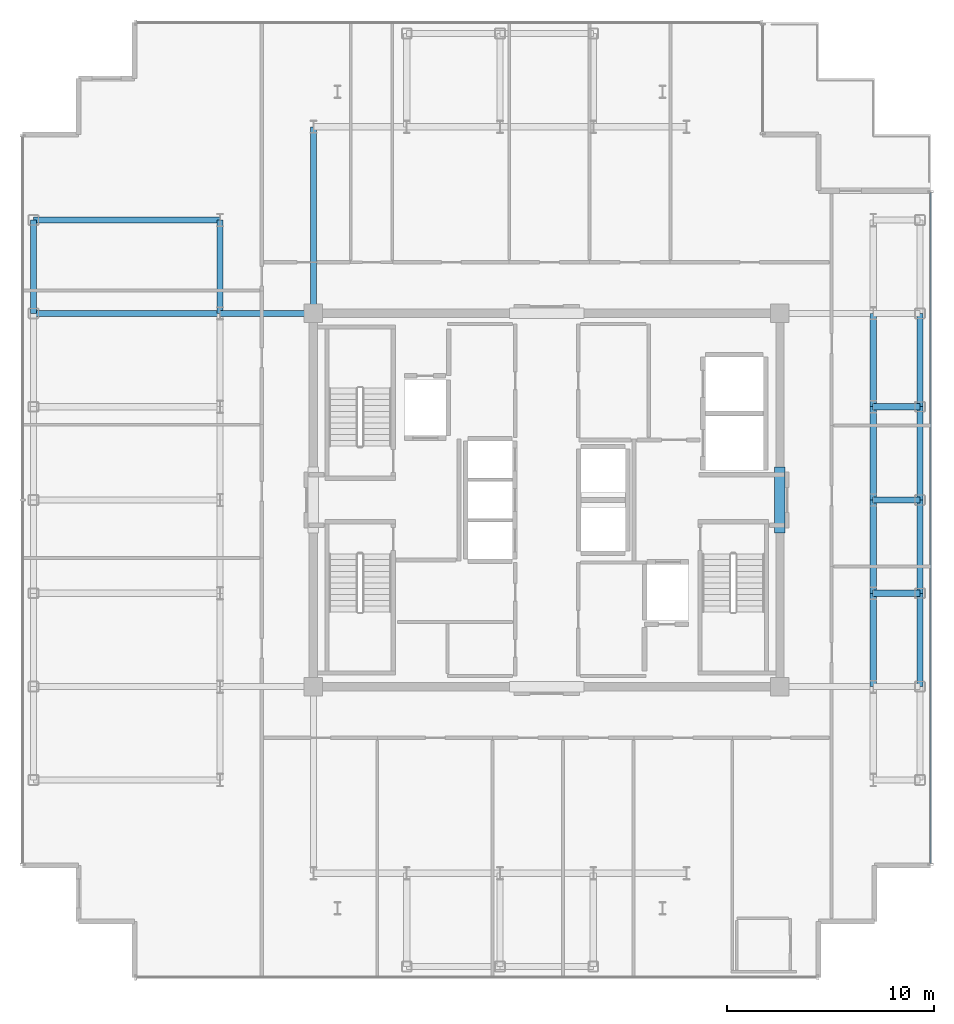
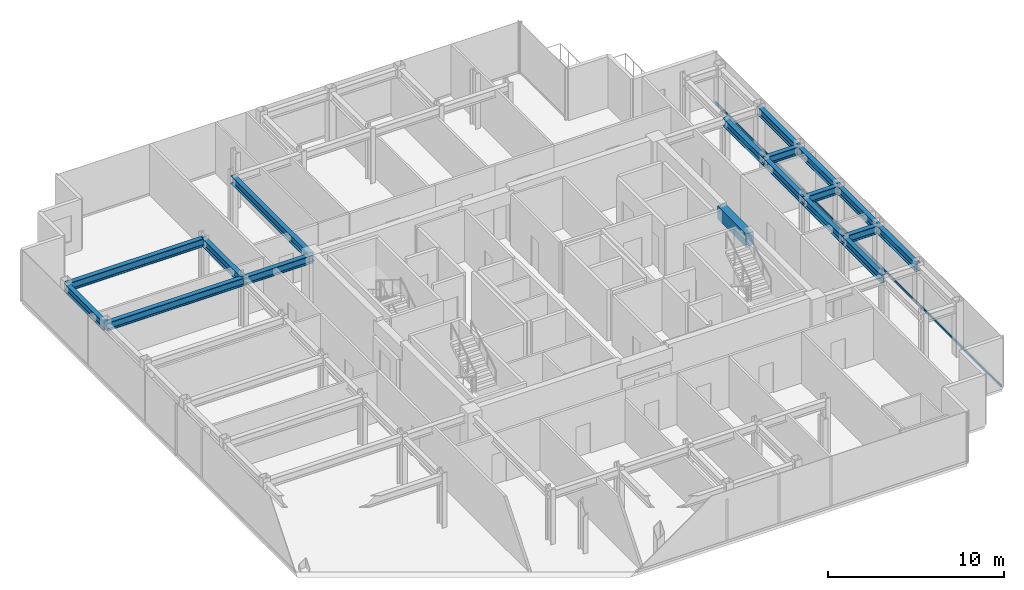
# One storey, part 7 of 17: 18 beams, 1 member, 1 element without a shape of its own.
"""IFC4 building model written with IfcOpenShell, lengths in metres."""

from ifc_helpers import new_model, si_unit, direction, frame, origin, origin_2d, place, context, subcontext, project, spatial, rectangle, hollow_rectangle, i_section, extrude, source, transform, mapped, material, layer, layer_set, material_profile, profile_set, type_object, element, aggregate, save


model = new_model("IFC4")

# Units and contexts
model_context = context("Model", 3, precision=1e-05, world=origin(), true_north=direction((0.0, 1.0)))
body_context = subcontext(model_context, "Body", "Model", "MODEL_VIEW")
ifc_project = project(units=[si_unit("LENGTHUNIT", "METRE"), si_unit("AREAUNIT", "SQUARE_METRE"), si_unit("VOLUMEUNIT", "CUBIC_METRE"), si_unit("PLANEANGLEUNIT", "RADIAN"), si_unit("MASSUNIT", "GRAM", prefix="KILO")], contexts=[model_context])

# Site, building, storey
site_placement = place(None, origin())
site = spatial("IfcSite", under=ifc_project, at=site_placement, CompositionType="ELEMENT")
building_placement = place(site_placement, origin())
building = spatial("IfcBuilding", under=site, at=building_placement, Name="Nefas-Gora Pilgrimage Tower", CompositionType="ELEMENT")
storey_placement = place(building_placement, frame((0.0, 0.0, 337.60009765625)))
storey = spatial("IfcBuildingStorey", under=building, at=storey_placement, Name="L85", CompositionType="ELEMENT", Elevation=337.60009765625)

# Beams
ifc_material_1 = material(Name="Concrete C50/60", Category="concrete")
ifc_material_profile_1 = material_profile(ifc_material_1, rectangle(XDim=0.5, YDim=0.89990234375, at=origin_2d()), Name="RC 500x900")
ifc_profile_set_1 = profile_set([ifc_material_profile_1], Name="Concrete C50/60")
beam_type_1 = type_object("IfcBeamType", Name="BM-LIN-RC900", PredefinedType="LINTEL", material=ifc_profile_set_1)
shared_shape_1 = source(origin(), body_context, "Body", "SweptSolid", [
    extrude(rectangle(XDim=0.5, YDim=0.89990234375, at=origin_2d()), origin(), (0.0, 0.0, 1.0), 3.2001953125),
])
beam_placement = place(storey_placement, frame((11.25, -1.60009765625, 3.099853515625), z_axis=(0.0, 1.0, 0.0), x_axis=(-1.0, 0.0, 0.0)))
element("IfcBeam", 1, at=beam_placement, inside=storey, type_object=beam_type_1, Name="L85 Core Coupling Lintel Beam E", PredefinedType="LINTEL", context=body_context, shape_type="MappedRepresentation", body=[
    mapped(shared_shape_1, transform((0.0, 0.0, 0.0), x_axis=(1.0, 0.0, 0.0), y_axis=(0.0, 1.0, 0.0), z_axis=(0.0, 0.0, 1.0), scale=1.0)),
])
ifc_material_2 = material(Name="Steel S355", Category="steel")
ifc_material_profile_2 = material_profile(ifc_material_2, i_section(OverallWidth=0.300048828125, OverallDepth=0.550048828125, WebThickness=0.014892578125, FlangeThickness=0.029052734375, FilletRadius=0.027099609375, at=origin_2d()), Name="HEB 550")
ifc_profile_set_2 = profile_set([ifc_material_profile_2], Name="Steel S355")
beam_type_2 = type_object("IfcBeamType", Name="BM-SPN-HEB400", PredefinedType="SPANDREL", material=ifc_profile_set_2)
shared_shape_2 = source(origin(), body_context, "Body", "SweptSolid", [
    extrude(i_section(OverallWidth=0.300048828125, OverallDepth=0.550048828125, WebThickness=0.014892578125, FlangeThickness=0.029052734375, FilletRadius=0.027099609375, at=origin_2d()), origin(), (0.0, 0.0, 1.0), 4.5),
])
for number, where, z_axis, x_axis, name in (
    (2, (-24.75, 9.0, 3.27490234375), (0.0, 1.0, 0.0), (-1.0, 0.0, 0.0), "L85 SP-04 beam"),
    (3, (18.0, -9.0, 3.27490234375), (0.0, 1.0, 0.0), (-1.0, 0.0, 0.0), "L85 SP-04 beam"),
    (4, (18.0, -4.5, 3.27490234375), (0.0, 1.0, 0.0), (-1.0, 0.0, 0.0), "L85 SP-04 beam"),
    (5, (18.0, 0.0, 3.27490234375), (0.0, 1.0, 0.0), (-1.0, 0.0, 0.0), "L85 SP-04 beam"),
    (6, (18.0, 4.5, 3.27490234375), (0.0, 1.0, 0.0), (-1.0, 0.0, 0.0), "L85 SP-04 beam"),
):
    element("IfcBeam", number, at=place(storey_placement, frame(where, z_axis=z_axis, x_axis=x_axis)), inside=storey, type_object=beam_type_2, Name=name, PredefinedType="SPANDREL", context=body_context, shape_type="MappedRepresentation", body=[
        mapped(shared_shape_2, transform((0.0, 0.0, 0.0), x_axis=(1.0, 0.0, 0.0), y_axis=(0.0, 1.0, 0.0), z_axis=(0.0, 0.0, 1.0), scale=1.0)),
    ])
ifc_material_profile_3 = material_profile(ifc_material_2, i_section(OverallWidth=0.300048828125, OverallDepth=0.550048828125, WebThickness=0.014892578125, FlangeThickness=0.029052734375, FilletRadius=0.027099609375, at=origin_2d()), Name="HEB 550")
ifc_profile_set_3 = profile_set([ifc_material_profile_3], Name="Steel S355")
beam_type_3 = type_object("IfcBeamType", Name="BM-GIR-HEB550", PredefinedType="BEAM", material=ifc_profile_set_3)
shared_shape_3 = source(origin(), body_context, "Body", "SweptSolid", [
    extrude(i_section(OverallWidth=0.300048828125, OverallDepth=0.550048828125, WebThickness=0.014892578125, FlangeThickness=0.029052734375, FilletRadius=0.027099609375, at=origin_2d()), origin(), (0.0, 0.0, 1.0), 9.0),
])
for number, where, z_axis, x_axis, name in (
    (7, (-24.75, 9.0, 3.27490234375), (1.0, 0.0, 0.0), (0.0, 1.0, 0.0), "L85 G-05 beam"),
    (8, (-24.75, 13.5, 3.27490234375), (1.0, 0.0, 0.0), (0.0, 1.0, 0.0), "L85 G-05 beam"),
    (9, (-11.25, 9.0, 3.27490234375), (0.0, 1.0, 0.0), (-1.0, 0.0, 0.0), "L85 G-05 beam"),
):
    element("IfcBeam", number, at=place(storey_placement, frame(where, z_axis=z_axis, x_axis=x_axis)), inside=storey, type_object=beam_type_3, Name=name, PredefinedType="BEAM", context=body_context, shape_type="MappedRepresentation", body=[
        mapped(shared_shape_3, transform((0.0, 0.0, 0.0), x_axis=(1.0, 0.0, 0.0), y_axis=(0.0, 1.0, 0.0), z_axis=(0.0, 0.0, 1.0), scale=1.0)),
    ])
shared_shape_4 = source(origin(), body_context, "Body", "SweptSolid", [
    extrude(i_section(OverallWidth=0.300048828125, OverallDepth=0.550048828125, WebThickness=0.014892578125, FlangeThickness=0.029052734375, FilletRadius=0.027099609375, at=origin_2d()), origin(), (0.0, 0.0, 1.0), 4.5),
])
for number, where, z_axis, x_axis, name in (
    (10, (-15.75, 9.0, 3.27490234375), (0.0, 1.0, 0.0), (-1.0, 0.0, 0.0), "L85 G-05 beam"),
    (11, (-15.75, 9.0, 3.27490234375), (1.0, 0.0, 0.0), (0.0, 1.0, 0.0), "L85 G-05 beam"),
    (12, (15.75, -9.0, 3.27490234375), (0.0, 1.0, 0.0), (-1.0, 0.0, 0.0), "L85 G-05 beam"),
    (13, (15.75, -4.5, 3.27490234375), (0.0, 1.0, 0.0), (-1.0, 0.0, 0.0), "L85 G-05 beam"),
    (14, (15.75, 0.0, 3.27490234375), (0.0, 1.0, 0.0), (-1.0, 0.0, 0.0), "L85 G-05 beam"),
    (15, (15.75, 4.5, 3.27490234375), (0.0, 1.0, 0.0), (-1.0, 0.0, 0.0), "L85 G-05 beam"),
):
    element("IfcBeam", number, at=place(storey_placement, frame(where, z_axis=z_axis, x_axis=x_axis)), inside=storey, type_object=beam_type_3, Name=name, PredefinedType="BEAM", context=body_context, shape_type="MappedRepresentation", body=[
        mapped(shared_shape_4, transform((0.0, 0.0, 0.0), x_axis=(1.0, 0.0, 0.0), y_axis=(0.0, 1.0, 0.0), z_axis=(0.0, 0.0, 1.0), scale=1.0)),
    ])
shared_shape_5 = source(origin(), body_context, "Body", "SweptSolid", [
    extrude(i_section(OverallWidth=0.300048828125, OverallDepth=0.550048828125, WebThickness=0.014892578125, FlangeThickness=0.029052734375, FilletRadius=0.027099609375, at=origin_2d()), origin(), (0.0, 0.0, 1.0), 2.25),
])
for number, where, z_axis, x_axis, name in (
    (16, (15.75, -4.5, 3.27490234375), (1.0, 0.0, 0.0), (0.0, 1.0, 0.0), "L85 G-05 beam"),
    (17, (15.75, 0.0, 3.27490234375), (1.0, 0.0, 0.0), (0.0, 1.0, 0.0), "L85 G-05 beam"),
    (18, (15.75, 4.5, 3.27490234375), (1.0, 0.0, 0.0), (0.0, 1.0, 0.0), "L85 G-05 beam"),
):
    element("IfcBeam", number, at=place(storey_placement, frame(where, z_axis=z_axis, x_axis=x_axis)), inside=storey, type_object=beam_type_3, Name=name, PredefinedType="BEAM", context=body_context, shape_type="MappedRepresentation", body=[
        mapped(shared_shape_5, transform((0.0, 0.0, 0.0), x_axis=(1.0, 0.0, 0.0), y_axis=(0.0, 1.0, 0.0), z_axis=(0.0, 0.0, 1.0), scale=1.0)),
    ])

# Curtain wall, member
ifc_material_3 = material(Name="Dark ceramic-fritted solar-control aluminium-glass curtain wall", Category="aluminium")
ifc_layer = layer(ifc_material_3, 0.219970703125)
ifc_layer_set = layer_set([ifc_layer], Name="Dark ceramic-fritted solar-control aluminium-glass curtain wall")
curtain_wall_type = type_object("IfcCurtainWallType", Name="CW-SYS-4", PredefinedType="NOTDEFINED", material=ifc_layer_set)
curtain_wall_placement = place(storey_placement, origin())
curtain_wall = element("IfcCurtainWall", 19, at=curtain_wall_placement, inside=storey, type_object=curtain_wall_type, Name="L85 Unitised Curtain Wall CW4", PredefinedType="NOTDEFINED")
ifc_material_4 = material(Name="Anodised architectural aluminium", Category="aluminium")
ifc_material_profile_4 = material_profile(ifc_material_4, hollow_rectangle(XDim=0.080078125, YDim=0.159912109375, WallThickness=0.00439453125, InnerFilletRadius=0.00439453125, OuterFilletRadius=0.009033203125, at=origin_2d()), Name="ALU TRANSOM 80x160")
ifc_profile_set_4 = profile_set([ifc_material_profile_4], Name="Anodised architectural aluminium")
member_type = type_object("IfcMemberType", Name="CWM-TRN-4", PredefinedType="USERDEFINED", material=ifc_profile_set_4)
shared_shape_6 = source(origin(), body_context, "Body", "SweptSolid", [
    extrude(hollow_rectangle(XDim=0.080078125, YDim=0.159912109375, WallThickness=0.00439453125, InnerFilletRadius=0.00439453125, OuterFilletRadius=0.009033203125, at=origin_2d()), origin(), (0.0, 0.0, 1.0), 32.360107421875),
])
member_placement = place(storey_placement, frame((18.52001953125, -17.530029296875, 0.0498046875), z_axis=(0.0, 1.0, 0.0), x_axis=(-1.0, 0.0, 0.0)))
member = element("IfcMember", 20, at=member_placement, type_object=member_type, Name="CW4 Spandrel Transom", ObjectType="TRANSOM", PredefinedType="USERDEFINED", context=body_context, shape_type="MappedRepresentation", body=[
    mapped(shared_shape_6, transform((0.0, 0.0, 0.0), x_axis=(1.0, 0.0, 0.0), y_axis=(0.0, 1.0, 0.0), z_axis=(0.0, 0.0, 1.0), scale=1.0)),
])
aggregate(curtain_wall, [member])

save(model, "model.ifc")
